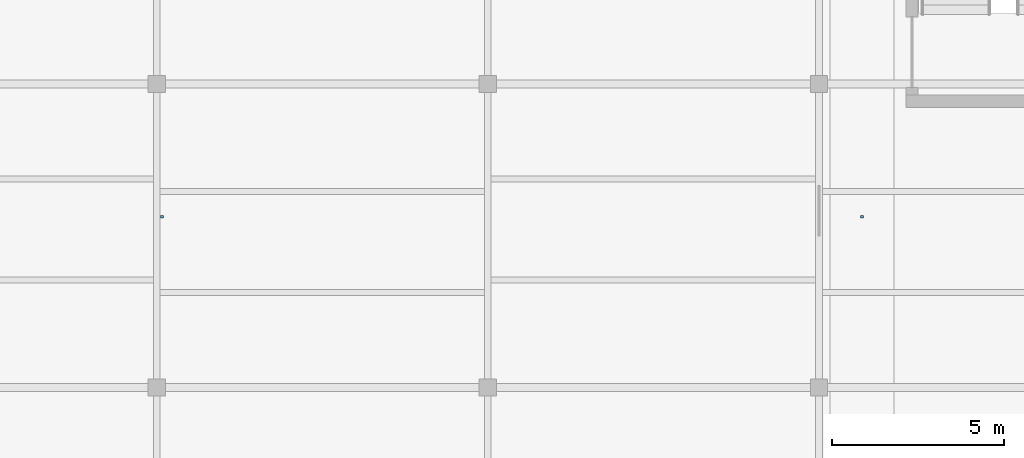
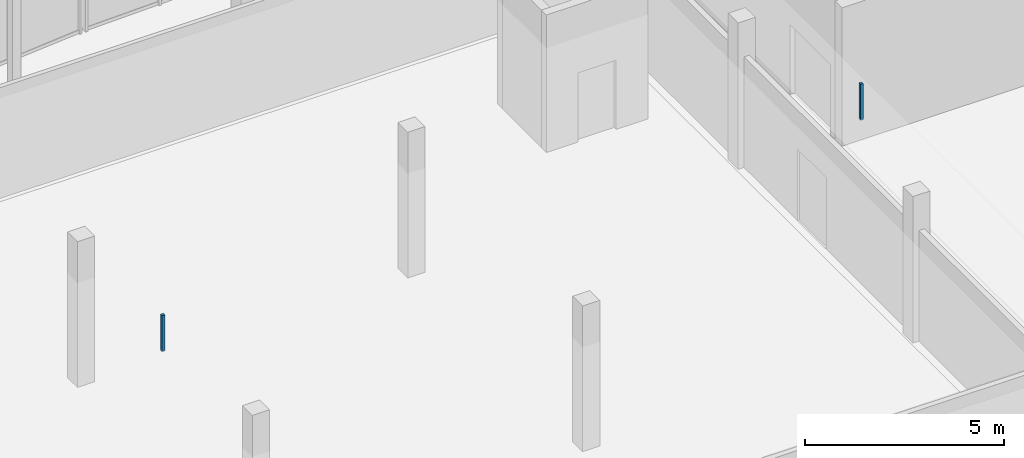
# One storey, part 110 of 114: 2 discrete accessories.
"""IFC4 building model written with IfcOpenShell, lengths in metres."""

import ifcopenshell
import ifcopenshell.guid

model = None  # the IFC model being written
_history = None  # IfcOwnerHistory: only IFC2X3 demands one
_inside = {}  # id of a spatial element -> (the spatial element, [elements in it])
_under = {}  # id of a project, library or spatial element -> (it, [spatial elements below it])
_declared = {}  # id of a project -> (the project, [libraries it declares])
_typed = {}  # id of a type object -> (the type object, [elements of that type])
_made_of = {}  # id of a material, layer set ... -> (it, [elements and type objects made of it])


def new_model(schema):
    """Start an empty IFC model of exactly this schema.

    Asked for "IFC4X3", IfcOpenShell would pick the latest addendum, in which some entities
    have other attributes; the version numbers below select the first issue.
    IFC2X3 requires an IfcOwnerHistory on every rooted entity: one is made here for all.
    """
    global model, _history
    if schema == "IFC4X3":
        model = ifcopenshell.file(schema_version=(4, 3, 0, 0))
    else:
        model = ifcopenshell.file(schema=schema)
    _inside.clear()
    _under.clear()
    _declared.clear()
    _typed.clear()
    _made_of.clear()
    _history = None
    if model.schema == "IFC2X3":
        org = make("IfcOrganization", Name="unknown")
        user = make(
            "IfcPersonAndOrganization",
            ThePerson=make("IfcPerson", FamilyName="unknown"),
            TheOrganization=org,
        )
        app = make(
            "IfcApplication",
            ApplicationDeveloper=org,
            Version="unknown",
            ApplicationFullName="unknown",
            ApplicationIdentifier="unknown",
        )
        _history = make(
            "IfcOwnerHistory",
            OwningUser=user,
            OwningApplication=app,
            ChangeAction="ADDED",
            CreationDate=0,
        )
    return model


def make(cls, **values):
    """One entity of the class cls with the attributes given. An attribute that is None is left unset."""
    return model.create_entity(
        cls, **{name: value for name, value in values.items() if value is not None}
    )


def rooted(cls, **values):
    """An entity with a GlobalId (a new one), such as an element, a storey or a relation."""
    return make(cls, GlobalId=ifcopenshell.guid.new(), OwnerHistory=_history, **values)


def si_unit(unit_type, name, prefix=None):
    """IfcSIUnit, for example si_unit("LENGTHUNIT", "METRE", prefix="MILLI")."""
    return make("IfcSIUnit", UnitType=unit_type, Prefix=prefix, Name=name)


def assignment(units):
    """IfcUnitAssignment: the units of a project."""
    return None if units is None else make("IfcUnitAssignment", Units=units)


def point(xyz):
    """IfcCartesianPoint."""
    return None if xyz is None else make("IfcCartesianPoint", Coordinates=xyz)


def direction(xyz):
    """IfcDirection."""
    return None if xyz is None else make("IfcDirection", DirectionRatios=xyz)


def frame(location, z_axis=None, x_axis=None):
    """IfcAxis2Placement3D, a coordinate frame: its origin and axes. An axis left out is left unset."""
    return make(
        "IfcAxis2Placement3D",
        Location=point(location),
        Axis=direction(z_axis),
        RefDirection=direction(x_axis),
    )


def frame_2d(location, x_axis=None):
    """IfcAxis2Placement2D, a coordinate frame in the plane: its origin and x axis."""
    return make(
        "IfcAxis2Placement2D", Location=point(location), RefDirection=direction(x_axis)
    )


def origin():
    """The frame at (0, 0, 0) with its axes left unset."""
    return frame((0.0, 0.0, 0.0))


def origin_2d():
    """The frame at (0, 0) in the plane with its x axis left unset."""
    return frame_2d((0.0, 0.0))


def place(relative_to, where):
    """IfcLocalPlacement: puts the frame where relative to a parent placement (None: the world)."""
    return make(
        "IfcLocalPlacement", PlacementRelTo=relative_to, RelativePlacement=where
    )


def context(
    kind, dimensions, precision=None, world=None, true_north=None, identifier=None
):
    """IfcGeometricRepresentationContext, for example the 3D "Model" context."""
    return make(
        "IfcGeometricRepresentationContext",
        ContextIdentifier=identifier,
        ContextType=kind,
        CoordinateSpaceDimension=dimensions,
        Precision=precision,
        WorldCoordinateSystem=world,
        TrueNorth=true_north,
    )


def subcontext(parent, identifier, kind, view, scale=None):
    """IfcGeometricRepresentationSubContext, for example "Body" below "Model"."""
    return make(
        "IfcGeometricRepresentationSubContext",
        ContextIdentifier=identifier,
        ContextType=kind,
        ParentContext=parent,
        TargetScale=scale,
        TargetView=view,
    )


def project(units=None, contexts=None):
    """IfcProject with its units and contexts."""
    return rooted(
        "IfcProject",
        Name="project",
        RepresentationContexts=contexts,
        UnitsInContext=assignment(units),
    )


def spatial(cls, under=None, at=None, **own):
    """A site, building, storey or space (cls), placed at a placement, below another one or the project."""
    s = rooted(cls, ObjectPlacement=at, **own)
    if under is not None:
        _under.setdefault(under.id(), (under, []))[1].append(s)
    return s


def profile(cls, at=None, kind="AREA", **sizes):
    """A parametric profile (cls). Its sizes go by their IFC names, for example OverallWidth=200.0."""
    return make(cls, ProfileType=kind, Position=at, **sizes)


def rectangle(**sizes):
    """IfcRectangleProfileDef."""
    return profile("IfcRectangleProfileDef", **sizes)


def extrude(swept, where, along, depth):
    """IfcExtrudedAreaSolid: the profile swept, set in the frame where, extruded along a direction by depth."""
    return make(
        "IfcExtrudedAreaSolid",
        SweptArea=swept,
        Position=where,
        ExtrudedDirection=direction(along),
        Depth=depth,
    )


def shape(context_of_items, identifier, shape_type, items):
    """IfcShapeRepresentation: the items that make up one representation, for example the "Body"."""
    return make(
        "IfcShapeRepresentation",
        ContextOfItems=context_of_items,
        RepresentationIdentifier=identifier,
        RepresentationType=shape_type,
        Items=items,
    )


def material(Name=None, Category=None):
    """IfcMaterial."""
    return make("IfcMaterial", Name=Name, Category=Category)


def made_of(thing, what):
    """Note that an element or type object is made of a material, layer set ...; save() writes the relation."""
    if what is not None:
        _made_of.setdefault(what.id(), (what, []))[1].append(thing)
    return thing


def type_object(cls, material=None, **own):
    """A type object (cls), such as IfcWallType, which elements share."""
    return made_of(rooted(cls, **own), material)


def element(
    cls,
    number,
    at=None,
    inside=None,
    cuts=None,
    type_object=None,
    material=None,
    context=None,
    identifier="Body",
    shape_type=None,
    held_by="IfcProductDefinitionShape",
    body=None,
    shapes=None,
    **own,
):
    """One element of the class cls, such as IfcWall. Its Tag is "e" and its number.

    at: its placement. inside: the storey or other place that contains it. cuts: it is an
    opening in that element (IfcRelVoidsElement). A single representation is given by context,
    identifier, shape_type and body (its items); several are given by shapes. held_by: the class
    of the entity that holds the representations. save() writes the other relations.
    """
    e = rooted(cls, Tag="e%d" % number, ObjectPlacement=at, **own)
    if body is not None:
        shapes = [shape(context, identifier, shape_type, body)]
    if shapes is not None:
        e.Representation = make(held_by, Representations=shapes)
    if inside is not None:
        _inside.setdefault(inside.id(), (inside, []))[1].append(e)
    if cuts is not None:
        rooted(
            "IfcRelVoidsElement", RelatingBuildingElement=cuts, RelatedOpeningElement=e
        )
    if type_object is not None:
        _typed.setdefault(type_object.id(), (type_object, []))[1].append(e)
    return made_of(e, material)


def aggregate(whole, parts):
    """IfcRelAggregates: a whole, such as a stair, and the parts it consists of."""
    return rooted("IfcRelAggregates", RelatingObject=whole, RelatedObjects=parts)


def save(model, path):
    """Write the relations noted so far, then the file.

    IfcRelAggregates (storeys below a building ...), IfcRelContainedInSpatialStructure (elements
    in a storey), IfcRelDefinesByType, IfcRelAssociatesMaterial and IfcRelDeclares: one each for
    every whole, place, type object, material and project.
    """
    for whole, parts in _under.values():
        aggregate(whole, parts)
    for where, things in _inside.values():
        rooted(
            "IfcRelContainedInSpatialStructure",
            RelatedElements=things,
            RelatingStructure=where,
        )
    for kind, things in _typed.values():
        rooted("IfcRelDefinesByType", RelatedObjects=things, RelatingType=kind)
    for what, things in _made_of.values():
        rooted("IfcRelAssociatesMaterial", RelatedObjects=things, RelatingMaterial=what)
    for by, libraries in _declared.values():
        rooted("IfcRelDeclares", RelatingContext=by, RelatedDefinitions=libraries)
    model.write(path)


model = new_model("IFC4")

# Units and contexts
model_context = context("Model", 3, precision=1e-05, world=origin(), true_north=direction((0.0, 1.0)))
body_context = subcontext(model_context, "Body", "Model", "MODEL_VIEW")
ifc_project = project(units=[si_unit("LENGTHUNIT", "METRE"), si_unit("AREAUNIT", "SQUARE_METRE"), si_unit("VOLUMEUNIT", "CUBIC_METRE"), si_unit("PLANEANGLEUNIT", "RADIAN"), si_unit("MASSUNIT", "GRAM", prefix="KILO")], contexts=[model_context])

# Site, building, storey
site_placement = place(None, origin())
site = spatial("IfcSite", under=ifc_project, at=site_placement, CompositionType="ELEMENT")
building_placement = place(site_placement, origin())
building = spatial("IfcBuilding", under=site, at=building_placement, Name="Chalmorin Arch Market", CompositionType="ELEMENT")
storey_placement = place(building_placement, frame((0.0, 0.0, 9.60009765625)))
storey = spatial("IfcBuildingStorey", under=building, at=storey_placement, Name="L02", CompositionType="ELEMENT", Elevation=9.60009765625)

# Discrete accessories
ifc_material = material(Name="Galvanized Cold-Formed Steel", Category="steel")
discrete_accessory_type = type_object("IfcDiscreteAccessoryType", Name="CeilingSuspensionBracket-80x80", PredefinedType="BRACKET", material=ifc_material)
for number, where, z_axis, x_axis, name in (
    (1, (87.64990234375, 105.75, 3.202880859375), (0.0, 0.0, 1.0), (1.0, 0.0, 0.0), "CSB-237"),
    (2, (67.35009765625, 105.75, 3.202880859375), (0.0, 0.0, 1.0), (1.0, 0.0, 0.0), "CSB-239"),
):
    element("IfcDiscreteAccessory", number, at=place(storey_placement, frame(where, z_axis=z_axis, x_axis=x_axis)), inside=storey, type_object=discrete_accessory_type, Name=name, PredefinedType="BRACKET", context=body_context, shape_type="SweptSolid", body=[
        extrude(rectangle(XDim=0.080078125, YDim=0.080078125, at=origin_2d()), origin(), (0.0, 0.0, 1.0), 1.10693359375),
    ])

save(model, "model.ifc")
